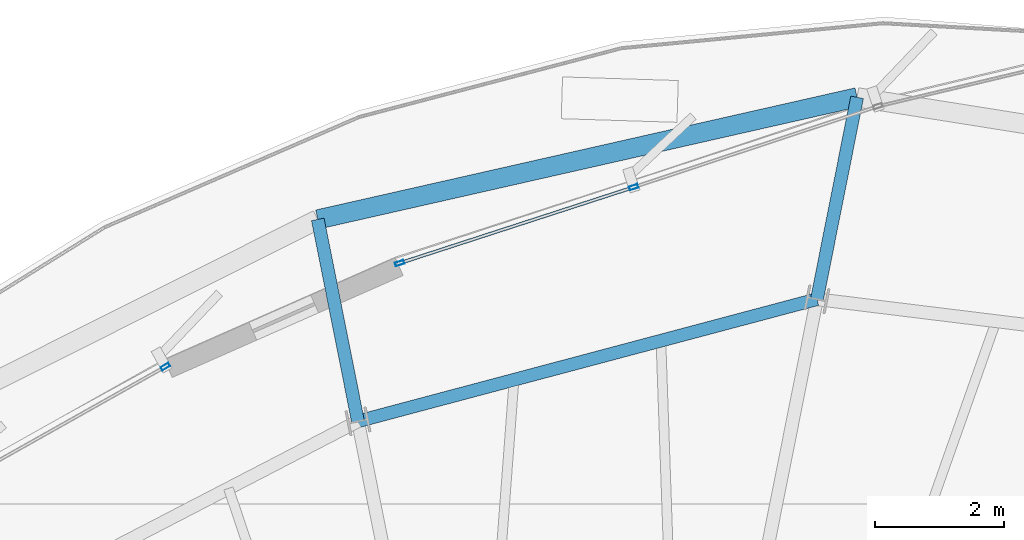
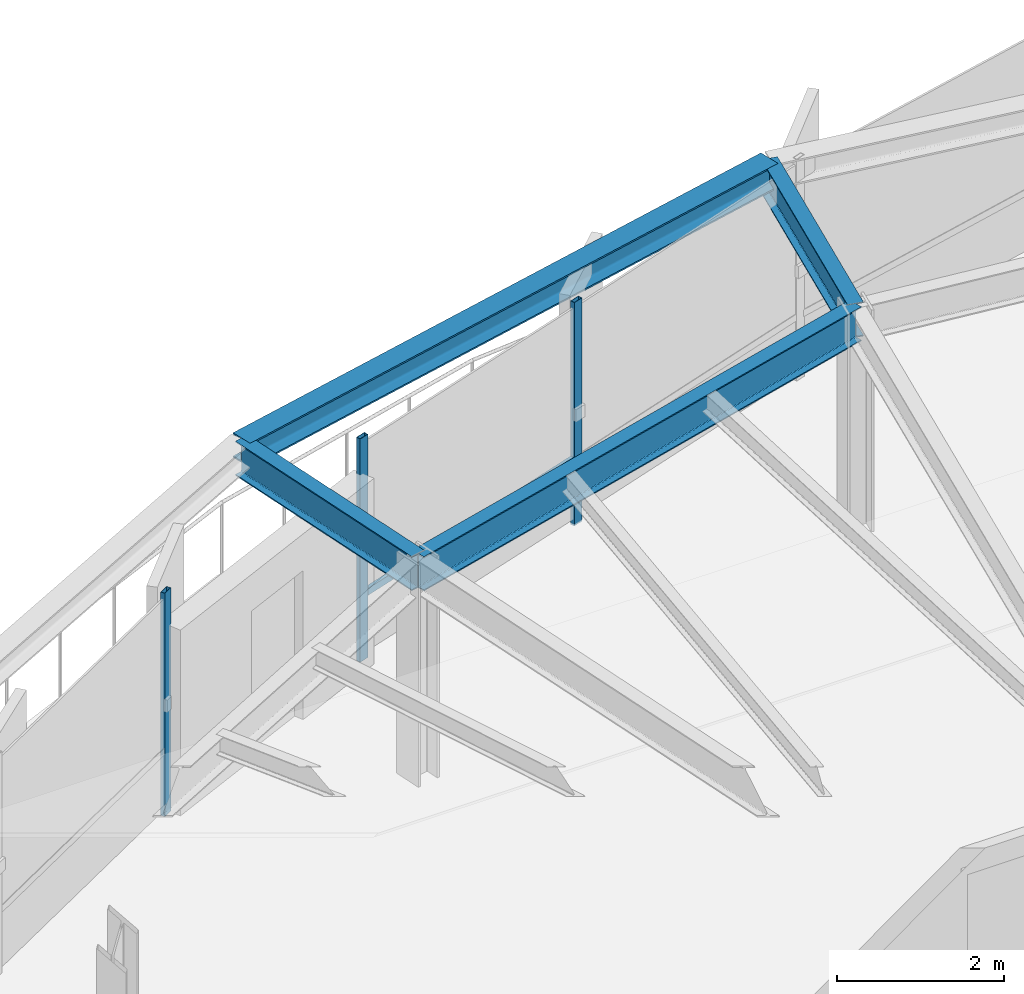
# One storey, part 21 of 33: 4 beams, 4 members, 2 elements without a shape of their own.
"""IFC4 building model written with IfcOpenShell, lengths in metres."""

import ifcopenshell
import ifcopenshell.guid

model = None  # the IFC model being written
_history = None  # IfcOwnerHistory: only IFC2X3 demands one
_inside = {}  # id of a spatial element -> (the spatial element, [elements in it])
_under = {}  # id of a project, library or spatial element -> (it, [spatial elements below it])
_declared = {}  # id of a project -> (the project, [libraries it declares])
_typed = {}  # id of a type object -> (the type object, [elements of that type])
_made_of = {}  # id of a material, layer set ... -> (it, [elements and type objects made of it])


def new_model(schema):
    """Start an empty IFC model of exactly this schema.

    Asked for "IFC4X3", IfcOpenShell would pick the latest addendum, in which some entities
    have other attributes; the version numbers below select the first issue.
    IFC2X3 requires an IfcOwnerHistory on every rooted entity: one is made here for all.
    """
    global model, _history
    if schema == "IFC4X3":
        model = ifcopenshell.file(schema_version=(4, 3, 0, 0))
    else:
        model = ifcopenshell.file(schema=schema)
    _inside.clear()
    _under.clear()
    _declared.clear()
    _typed.clear()
    _made_of.clear()
    _history = None
    if model.schema == "IFC2X3":
        org = make("IfcOrganization", Name="unknown")
        user = make(
            "IfcPersonAndOrganization",
            ThePerson=make("IfcPerson", FamilyName="unknown"),
            TheOrganization=org,
        )
        app = make(
            "IfcApplication",
            ApplicationDeveloper=org,
            Version="unknown",
            ApplicationFullName="unknown",
            ApplicationIdentifier="unknown",
        )
        _history = make(
            "IfcOwnerHistory",
            OwningUser=user,
            OwningApplication=app,
            ChangeAction="ADDED",
            CreationDate=0,
        )
    return model


def make(cls, **values):
    """One entity of the class cls with the attributes given. An attribute that is None is left unset."""
    return model.create_entity(
        cls, **{name: value for name, value in values.items() if value is not None}
    )


def rooted(cls, **values):
    """An entity with a GlobalId (a new one), such as an element, a storey or a relation."""
    return make(cls, GlobalId=ifcopenshell.guid.new(), OwnerHistory=_history, **values)


def si_unit(unit_type, name, prefix=None):
    """IfcSIUnit, for example si_unit("LENGTHUNIT", "METRE", prefix="MILLI")."""
    return make("IfcSIUnit", UnitType=unit_type, Prefix=prefix, Name=name)


def assignment(units):
    """IfcUnitAssignment: the units of a project."""
    return None if units is None else make("IfcUnitAssignment", Units=units)


def point(xyz):
    """IfcCartesianPoint."""
    return None if xyz is None else make("IfcCartesianPoint", Coordinates=xyz)


def direction(xyz):
    """IfcDirection."""
    return None if xyz is None else make("IfcDirection", DirectionRatios=xyz)


def frame(location, z_axis=None, x_axis=None):
    """IfcAxis2Placement3D, a coordinate frame: its origin and axes. An axis left out is left unset."""
    return make(
        "IfcAxis2Placement3D",
        Location=point(location),
        Axis=direction(z_axis),
        RefDirection=direction(x_axis),
    )


def frame_2d(location, x_axis=None):
    """IfcAxis2Placement2D, a coordinate frame in the plane: its origin and x axis."""
    return make(
        "IfcAxis2Placement2D", Location=point(location), RefDirection=direction(x_axis)
    )


def origin():
    """The frame at (0, 0, 0) with its axes left unset."""
    return frame((0.0, 0.0, 0.0))


def origin_2d():
    """The frame at (0, 0) in the plane with its x axis left unset."""
    return frame_2d((0.0, 0.0))


def place(relative_to, where):
    """IfcLocalPlacement: puts the frame where relative to a parent placement (None: the world)."""
    return make(
        "IfcLocalPlacement", PlacementRelTo=relative_to, RelativePlacement=where
    )


def context(
    kind, dimensions, precision=None, world=None, true_north=None, identifier=None
):
    """IfcGeometricRepresentationContext, for example the 3D "Model" context."""
    return make(
        "IfcGeometricRepresentationContext",
        ContextIdentifier=identifier,
        ContextType=kind,
        CoordinateSpaceDimension=dimensions,
        Precision=precision,
        WorldCoordinateSystem=world,
        TrueNorth=true_north,
    )


def subcontext(parent, identifier, kind, view, scale=None):
    """IfcGeometricRepresentationSubContext, for example "Body" below "Model"."""
    return make(
        "IfcGeometricRepresentationSubContext",
        ContextIdentifier=identifier,
        ContextType=kind,
        ParentContext=parent,
        TargetScale=scale,
        TargetView=view,
    )


def project(units=None, contexts=None):
    """IfcProject with its units and contexts."""
    return rooted(
        "IfcProject",
        Name="project",
        RepresentationContexts=contexts,
        UnitsInContext=assignment(units),
    )


def spatial(cls, under=None, at=None, **own):
    """A site, building, storey or space (cls), placed at a placement, below another one or the project."""
    s = rooted(cls, ObjectPlacement=at, **own)
    if under is not None:
        _under.setdefault(under.id(), (under, []))[1].append(s)
    return s


def profile(cls, at=None, kind="AREA", **sizes):
    """A parametric profile (cls). Its sizes go by their IFC names, for example OverallWidth=200.0."""
    return make(cls, ProfileType=kind, Position=at, **sizes)


def hollow_rectangle(**sizes):
    """IfcRectangleHollowProfileDef."""
    return profile("IfcRectangleHollowProfileDef", **sizes)


def i_section(**sizes):
    """IfcIShapeProfileDef."""
    return profile("IfcIShapeProfileDef", **sizes)


def extrude(swept, where, along, depth):
    """IfcExtrudedAreaSolid: the profile swept, set in the frame where, extruded along a direction by depth."""
    return make(
        "IfcExtrudedAreaSolid",
        SweptArea=swept,
        Position=where,
        ExtrudedDirection=direction(along),
        Depth=depth,
    )


def shape(context_of_items, identifier, shape_type, items):
    """IfcShapeRepresentation: the items that make up one representation, for example the "Body"."""
    return make(
        "IfcShapeRepresentation",
        ContextOfItems=context_of_items,
        RepresentationIdentifier=identifier,
        RepresentationType=shape_type,
        Items=items,
    )


def source(mapping_origin, context_of_items, identifier, shape_type, items):
    """IfcRepresentationMap: a shape defined once, which mapped items show again and again."""
    return make(
        "IfcRepresentationMap",
        MappingOrigin=mapping_origin,
        MappedRepresentation=shape(context_of_items, identifier, shape_type, items),
    )


def transform(
    local_origin,
    x_axis=None,
    y_axis=None,
    z_axis=None,
    scale=None,
    scale2=None,
    scale3=None,
    uniform=True,
):
    """IfcCartesianTransformationOperator3D, or its non-uniform kind. x_axis, y_axis, z_axis: its Axis1, 2, 3."""
    if uniform:
        return make(
            "IfcCartesianTransformationOperator3D",
            Axis1=direction(x_axis),
            Axis2=direction(y_axis),
            LocalOrigin=point(local_origin),
            Scale=scale,
            Axis3=direction(z_axis),
        )
    return make(
        "IfcCartesianTransformationOperator3DnonUniform",
        Axis1=direction(x_axis),
        Axis2=direction(y_axis),
        LocalOrigin=point(local_origin),
        Scale=scale,
        Axis3=direction(z_axis),
        Scale2=scale2,
        Scale3=scale3,
    )


def mapped(mapping_source, mapping_target):
    """IfcMappedItem: shows the shape of a source again, moved by a transform."""
    return make(
        "IfcMappedItem", MappingSource=mapping_source, MappingTarget=mapping_target
    )


def material(Name=None, Category=None):
    """IfcMaterial."""
    return make("IfcMaterial", Name=Name, Category=Category)


def layer(
    of_material, thickness, ventilated=None, Name=None, Category=None, Priority=None
):
    """IfcMaterialLayer: one layer of a wall or slab, of a material (None: an air gap)."""
    return make(
        "IfcMaterialLayer",
        Material=of_material,
        LayerThickness=thickness,
        IsVentilated=ventilated,
        Name=Name,
        Category=Category,
        Priority=Priority,
    )


def layer_set(layers, Name=None):
    """IfcMaterialLayerSet."""
    return make("IfcMaterialLayerSet", MaterialLayers=layers, LayerSetName=Name)


def material_profile(
    of_material, cross_section, Name=None, Category=None, Priority=None
):
    """IfcMaterialProfile: a cross section and its material."""
    return make(
        "IfcMaterialProfile",
        Name=Name,
        Material=of_material,
        Profile=cross_section,
        Priority=Priority,
        Category=Category,
    )


def profile_set(profiles, Name=None, composite=None):
    """IfcMaterialProfileSet."""
    return make(
        "IfcMaterialProfileSet",
        Name=Name,
        MaterialProfiles=profiles,
        CompositeProfile=composite,
    )


def made_of(thing, what):
    """Note that an element or type object is made of a material, layer set ...; save() writes the relation."""
    if what is not None:
        _made_of.setdefault(what.id(), (what, []))[1].append(thing)
    return thing


def type_object(cls, material=None, **own):
    """A type object (cls), such as IfcWallType, which elements share."""
    return made_of(rooted(cls, **own), material)


def element(
    cls,
    number,
    at=None,
    inside=None,
    cuts=None,
    type_object=None,
    material=None,
    context=None,
    identifier="Body",
    shape_type=None,
    held_by="IfcProductDefinitionShape",
    body=None,
    shapes=None,
    **own,
):
    """One element of the class cls, such as IfcWall. Its Tag is "e" and its number.

    at: its placement. inside: the storey or other place that contains it. cuts: it is an
    opening in that element (IfcRelVoidsElement). A single representation is given by context,
    identifier, shape_type and body (its items); several are given by shapes. held_by: the class
    of the entity that holds the representations. save() writes the other relations.
    """
    e = rooted(cls, Tag="e%d" % number, ObjectPlacement=at, **own)
    if body is not None:
        shapes = [shape(context, identifier, shape_type, body)]
    if shapes is not None:
        e.Representation = make(held_by, Representations=shapes)
    if inside is not None:
        _inside.setdefault(inside.id(), (inside, []))[1].append(e)
    if cuts is not None:
        rooted(
            "IfcRelVoidsElement", RelatingBuildingElement=cuts, RelatedOpeningElement=e
        )
    if type_object is not None:
        _typed.setdefault(type_object.id(), (type_object, []))[1].append(e)
    return made_of(e, material)


def aggregate(whole, parts):
    """IfcRelAggregates: a whole, such as a stair, and the parts it consists of."""
    return rooted("IfcRelAggregates", RelatingObject=whole, RelatedObjects=parts)


def save(model, path):
    """Write the relations noted so far, then the file.

    IfcRelAggregates (storeys below a building ...), IfcRelContainedInSpatialStructure (elements
    in a storey), IfcRelDefinesByType, IfcRelAssociatesMaterial and IfcRelDeclares: one each for
    every whole, place, type object, material and project.
    """
    for whole, parts in _under.values():
        aggregate(whole, parts)
    for where, things in _inside.values():
        rooted(
            "IfcRelContainedInSpatialStructure",
            RelatedElements=things,
            RelatingStructure=where,
        )
    for kind, things in _typed.values():
        rooted("IfcRelDefinesByType", RelatedObjects=things, RelatingType=kind)
    for what, things in _made_of.values():
        rooted("IfcRelAssociatesMaterial", RelatedObjects=things, RelatingMaterial=what)
    for by, libraries in _declared.values():
        rooted("IfcRelDeclares", RelatingContext=by, RelatedDefinitions=libraries)
    model.write(path)


model = new_model("IFC4")

# Units and contexts
model_context = context("Model", 3, precision=1e-05, world=origin(), true_north=direction((0.0, 1.0)))
body_context = subcontext(model_context, "Body", "Model", "MODEL_VIEW")
ifc_project = project(units=[si_unit("LENGTHUNIT", "METRE"), si_unit("AREAUNIT", "SQUARE_METRE"), si_unit("VOLUMEUNIT", "CUBIC_METRE"), si_unit("PLANEANGLEUNIT", "RADIAN"), si_unit("MASSUNIT", "GRAM", prefix="KILO"), si_unit("THERMODYNAMICTEMPERATUREUNIT", "KELVIN")], contexts=[model_context])

# Site, building, storey
site_placement = place(None, origin())
site = spatial("IfcSite", under=ifc_project, at=site_placement, CompositionType="ELEMENT")
building_placement = place(site_placement, origin())
building = spatial("IfcBuilding", under=site, at=building_placement, Name="Kethvar Cultural Tower", CompositionType="ELEMENT")
storey_placement = place(building_placement, frame((0.0, 0.0, 211.39990234375)))
storey = spatial("IfcBuildingStorey", under=building, at=storey_placement, Name="L55", CompositionType="ELEMENT", Elevation=211.39990234375)

# Beams
ifc_material_1 = material(Name="Steel S355J2", Category="steel")
ifc_material_profile_1 = material_profile(ifc_material_1, i_section(OverallWidth=0.199951171875, OverallDepth=0.5, WebThickness=0.01025390625, FlangeThickness=0.01611328125, FilletRadius=0.02099609375, at=origin_2d()), Name="Steel S355J2 — IPE500")
ifc_profile_set_1 = profile_set([ifc_material_profile_1], Name="Steel S355J2 — IPE500")
beam_type_1 = type_object("IfcBeamType", Name="BM-IPE500", PredefinedType="BEAM", material=ifc_profile_set_1)
shared_shape_1 = source(origin(), body_context, "Body", "SweptSolid", [
    extrude(i_section(OverallWidth=0.199951171875, OverallDepth=0.5, WebThickness=0.01025390625, FlangeThickness=0.01611328125, FilletRadius=0.02099609375, at=origin_2d()), origin(), (0.0, 0.0, 1.0), 3.199951171875),
])
for number, where, z_axis, x_axis, name in (
    (1, (50.556884765625, 46.6875, 3.008056640625), (0.195088965533, 0.980785550224, 0.0), (-0.980785550224, 0.195088965533, 0.0), "L55 Perimeter Cantilever Beam RC-04"),
    (2, (43.420654296875, 44.789306640625, 3.008056640625), (-0.195088965533, 0.980785550224, 0.0), (-0.980785550224, -0.195088965533, 0.0), "L55 Perimeter Cantilever Beam RC-05"),
):
    element("IfcBeam", number, at=place(storey_placement, frame(where, z_axis=z_axis, x_axis=x_axis)), inside=storey, type_object=beam_type_1, Name=name, PredefinedType="BEAM", context=body_context, shape_type="MappedRepresentation", body=[
        mapped(shared_shape_1, transform((0.0, 0.0, 0.0), scale=1.0)),
    ])
shared_shape_2 = source(origin(), body_context, "Body", "SweptSolid", [
    extrude(i_section(OverallWidth=0.199951171875, OverallDepth=0.5, WebThickness=0.01025390625, FlangeThickness=0.01611328125, FilletRadius=0.02099609375, at=origin_2d()), origin(), (0.0, 0.0, 1.0), 7.38427734375),
])
beam_1_placement = place(storey_placement, frame((50.556884765625, 46.6875, 3.008056640625), z_axis=(-0.966396628298, -0.257055552002, 0.0), x_axis=(0.257055552002, -0.966396628298, 0.0)))
element("IfcBeam", 3, at=beam_1_placement, inside=storey, type_object=beam_type_1, Name="L55 Column Ring Tie Beam CR-04", PredefinedType="BEAM", context=body_context, shape_type="MappedRepresentation", body=[
    mapped(shared_shape_2, transform((0.0, 0.0, 0.0), scale=1.0)),
])
ifc_material_profile_2 = material_profile(ifc_material_1, i_section(OverallWidth=0.300048828125, OverallDepth=0.360107421875, WebThickness=0.012451171875, FlangeThickness=0.0224609375, FilletRadius=0.027099609375, at=origin_2d()), Name="Steel S355J2 — HEB360")
ifc_profile_set_2 = profile_set([ifc_material_profile_2], Name="Steel S355J2 — HEB360")
beam_type_2 = type_object("IfcBeamType", Name="BM-SP360", PredefinedType="SPANDREL", material=ifc_profile_set_2)
shared_shape_3 = source(origin(), body_context, "Body", "SweptSolid", [
    extrude(i_section(OverallWidth=0.300048828125, OverallDepth=0.360107421875, WebThickness=0.012451171875, FlangeThickness=0.0224609375, FilletRadius=0.027099609375, at=origin_2d()), origin(), (0.0, 0.0, 1.0), 8.596923828125),
])
beam_2_placement = place(storey_placement, frame((51.18115234375, 49.825927734375, 3.078125), z_axis=(-0.975319414912, -0.2207986388, 0.0), x_axis=(0.2207986388, -0.975319414912, 0.0)))
element("IfcBeam", 4, at=beam_2_placement, inside=storey, type_object=beam_type_2, Name="L55 Perimeter Spandrel Beam SP-04", PredefinedType="SPANDREL", context=body_context, shape_type="MappedRepresentation", body=[
    mapped(shared_shape_3, transform((0.0, 0.0, 0.0), scale=1.0)),
])

# Curtain wall, members
ifc_material_2 = material(Name="Aluminium 6063-T6", Category="aluminium")
ifc_layer = layer(ifc_material_2, 0.179931640625, Name="Aluminium 6063-T6", Category="aluminium")
ifc_layer_set = layer_set([ifc_layer], Name="Aluminium 6063-T6 (180 mm)")
curtain_wall_type = type_object("IfcCurtainWallType", Name="CW-SYS-04-Z34", PredefinedType="NOTDEFINED", material=ifc_layer_set)
curtain_wall_1_placement = place(storey_placement, origin())
curtain_wall_1 = element("IfcCurtainWall", 5, at=curtain_wall_1_placement, inside=storey, type_object=curtain_wall_type, Name="L55 Curtain Wall Run 01", PredefinedType="NOTDEFINED")
ifc_material_profile_3 = material_profile(ifc_material_2, hollow_rectangle(XDim=0.06005859375, YDim=0.139892578125, WallThickness=0.0048828125, at=origin_2d()), Name="Aluminium 6063-T6 — RHS140x60x5")
ifc_profile_set_3 = profile_set([ifc_material_profile_3], Name="Aluminium 6063-T6 — RHS140x60x5")
member_type_1 = type_object("IfcMemberType", Name="CW-SYS-04-Z34-MUL", PredefinedType="MULLION", material=ifc_profile_set_3)
shared_shape_4 = source(origin(), body_context, "Body", "SweptSolid", [
    extrude(hollow_rectangle(XDim=0.06005859375, YDim=0.139892578125, WallThickness=0.0048828125, at=origin_2d()), origin(), (0.0, 0.0, 1.0), 3.260009765625),
])
member_1_placement = place(storey_placement, frame((47.70751953125, 48.4287109375, 0.0), z_axis=(0.0, 0.0, 1.0), x_axis=(0.308850998993, -0.951110435449, 0.0)))
member_1 = element("IfcMember", 6, at=member_1_placement, type_object=member_type_1, Name="CW-L55-R01 Mullion 6", PredefinedType="MULLION", context=body_context, shape_type="MappedRepresentation", body=[
    mapped(shared_shape_4, transform((0.0, 0.0, 0.0), scale=1.0)),
])
member_2_placement = place(storey_placement, frame((44.068359375, 47.2470703125, 0.0), z_axis=(0.0, 0.0, 1.0), x_axis=(0.308850998993, -0.951110435449, 0.0)))
member_2 = element("IfcMember", 7, at=member_2_placement, type_object=member_type_1, Name="CW-L55-R01 Mullion 7", PredefinedType="MULLION", context=body_context, shape_type="MappedRepresentation", body=[
    mapped(shared_shape_4, transform((0.0, 0.0, 0.0), scale=1.0)),
])

# Curtain wall, member
curtain_wall_2_placement = place(storey_placement, origin())
curtain_wall_2 = element("IfcCurtainWall", 8, at=curtain_wall_2_placement, inside=storey, type_object=curtain_wall_type, Name="L55 Curtain Wall Run 02", PredefinedType="NOTDEFINED")
member_3_placement = place(storey_placement, frame((40.42724609375, 45.638916015625, 0.0), z_axis=(0.0, 0.0, 1.0), x_axis=(0.490219352551, -0.871599097283, 0.0)))
member_3 = element("IfcMember", 9, at=member_3_placement, type_object=member_type_1, Name="CW-L55-R02 Mullion 1", PredefinedType="MULLION", context=body_context, shape_type="MappedRepresentation", body=[
    mapped(shared_shape_4, transform((0.0, 0.0, 0.0), scale=1.0)),
])
aggregate(curtain_wall_2, [member_3])

# Member
ifc_material_profile_4 = material_profile(ifc_material_2, hollow_rectangle(XDim=0.050048828125, YDim=0.10009765625, WallThickness=0.00390625, at=origin_2d()), Name="Aluminium 6063-T6 — RHS100x50x4")
ifc_profile_set_4 = profile_set([ifc_material_profile_4], Name="Aluminium 6063-T6 — RHS100x50x4")
member_type_2 = type_object("IfcMemberType", Name="CW-SYS-04-Z34-TRN", PredefinedType="USERDEFINED", material=ifc_profile_set_4)
shared_shape_5 = source(origin(), body_context, "Body", "SweptSolid", [
    extrude(hollow_rectangle(XDim=0.050048828125, YDim=0.10009765625, WallThickness=0.00390625, at=origin_2d()), origin(), (0.0, 0.0, 1.0), 3.779052734375),
])
member_4_placement = place(storey_placement, frame((47.66650390625, 48.415283203125, 0.9501953125), z_axis=(-0.951122337505, -0.308814344062, 0.0), x_axis=(0.308814344062, -0.951122337505, 0.0)))
member_4 = element("IfcMember", 10, at=member_4_placement, type_object=member_type_2, Name="CW-L55-R01 Transom 6", ObjectType="TRANSOM", PredefinedType="USERDEFINED", context=body_context, shape_type="MappedRepresentation", body=[
    mapped(shared_shape_5, transform((0.0, 0.0, 0.0), scale=1.0)),
])

aggregate(curtain_wall_1, [member_1, member_2, member_4])

save(model, "model.ifc")
